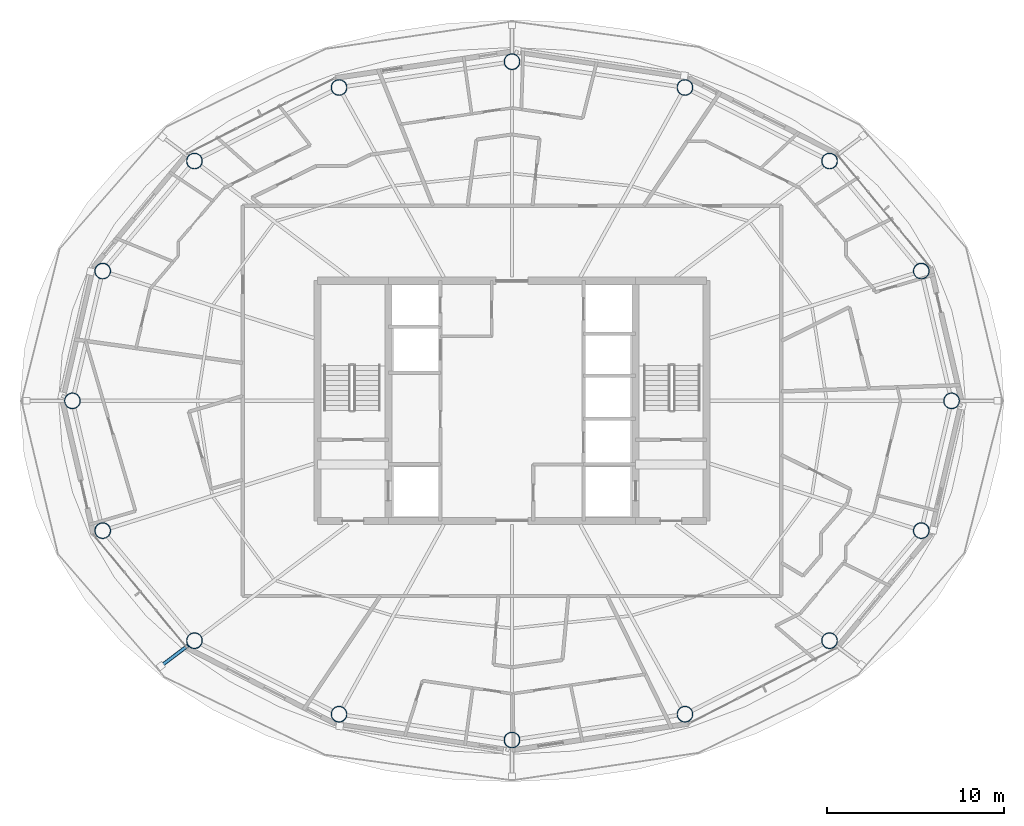
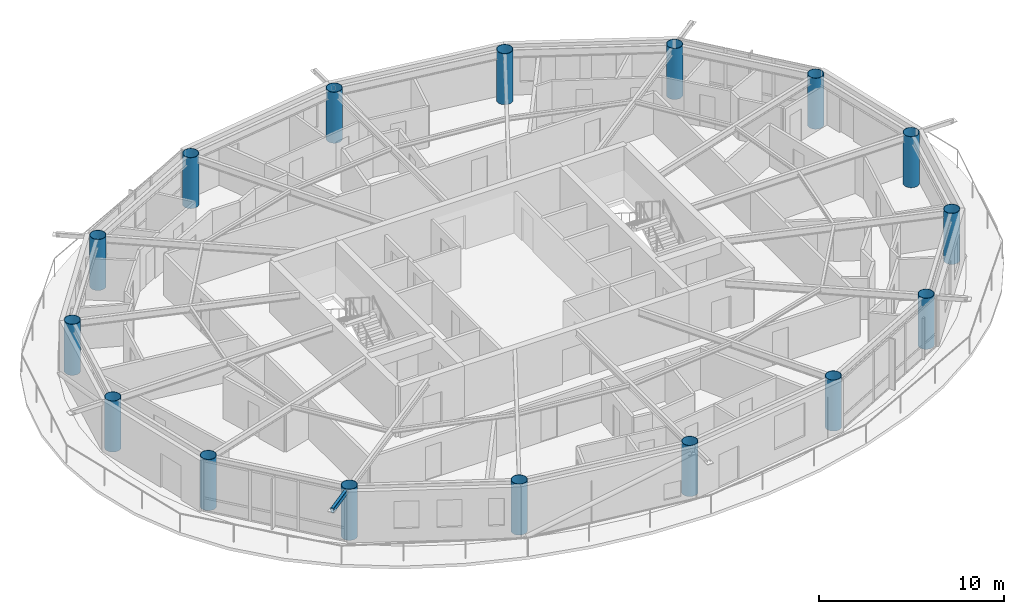
# One storey, part 1 of 23: 16 columns, 1 member.
"""IFC4 building model written with IfcOpenShell, lengths in metres."""

from ifc_helpers import new_model, si_unit, direction, frame, origin, origin_2d, place, context, subcontext, project, spatial, hollow_rectangle, hollow_circle, extrude, material, material_profile, profile_set, type_object, element, save


model = new_model("IFC4")

# Units and contexts
model_context = context("Model", 3, precision=1e-05, world=origin(), true_north=direction((0.0, 1.0)))
body_context = subcontext(model_context, "Body", "Model", "MODEL_VIEW")
ifc_project = project(units=[si_unit("LENGTHUNIT", "METRE"), si_unit("AREAUNIT", "SQUARE_METRE"), si_unit("VOLUMEUNIT", "CUBIC_METRE"), si_unit("PLANEANGLEUNIT", "RADIAN"), si_unit("MASSUNIT", "GRAM", prefix="KILO")], contexts=[model_context])

# Site, building, storey
site_placement = place(None, origin())
site = spatial("IfcSite", under=ifc_project, at=site_placement, CompositionType="ELEMENT")
building_placement = place(site_placement, origin())
building = spatial("IfcBuilding", under=site, at=building_placement, Name="Sarneth Arch Tower", CompositionType="ELEMENT")
storey_placement = place(building_placement, frame((0.0, 0.0, 228.0)))
storey = spatial("IfcBuildingStorey", under=building, at=storey_placement, Name="L58", CompositionType="ELEMENT", Elevation=228.0)

# Columns
ifc_material_1 = material(Name="Steel S355", Category="steel")
ifc_material_profile_1 = material_profile(ifc_material_1, hollow_circle(Radius=0.449951171875, WallThickness=0.02490234375, at=origin_2d()), Name="CHS900x25")
ifc_profile_set_1 = profile_set([ifc_material_profile_1], Name="Steel S355")
column_type = type_object("IfcColumnType", Name="COL-MEGA-900", PredefinedType="COLUMN", material=ifc_profile_set_1)
for number, where, z_axis, x_axis, name in (
    (1, (72.88330078125, 42.0, 0.0), (0.0, 0.0, 1.0), (1.0, 0.0, 0.0), "L58 Perimeter mega-column M01"),
    (2, (71.1689453125, 49.347412109375, 0.0), (0.0, 0.0, 1.0), (1.0, 0.0, 0.0), "L58 Perimeter mega-column M02"),
    (3, (65.975341796875, 55.576416015625, 0.0), (0.0, 0.0, 1.0), (1.0, 0.0, 0.0), "L58 Perimeter mega-column M03"),
    (4, (57.790771484375, 59.738525390625, 0.0), (0.0, 0.0, 1.0), (1.0, 0.0, 0.0), "L58 Perimeter mega-column M04"),
    (5, (48.0, 61.199951171875, 0.0), (0.0, 0.0, 1.0), (1.0, 0.0, 0.0), "L58 Perimeter mega-column M05"),
    (6, (38.209228515625, 59.738525390625, 0.0), (0.0, 0.0, 1.0), (1.0, 0.0, 0.0), "L58 Perimeter mega-column M06"),
    (7, (30.024658203125, 55.576416015625, 0.0), (0.0, 0.0, 1.0), (1.0, 0.0, 0.0), "L58 Perimeter mega-column M07"),
    (8, (24.8310546875, 49.347412109375, 0.0), (0.0, 0.0, 1.0), (1.0, 0.0, 0.0), "L58 Perimeter mega-column M08"),
    (9, (23.11669921875, 42.0, 0.0), (0.0, 0.0, 1.0), (1.0, 0.0, 0.0), "L58 Perimeter mega-column M09"),
    (10, (24.8310546875, 34.652587890625, 0.0), (0.0, 0.0, 1.0), (1.0, 0.0, 0.0), "L58 Perimeter mega-column M10"),
    (11, (30.024658203125, 28.423583984375, 0.0), (0.0, 0.0, 1.0), (1.0, 0.0, 0.0), "L58 Perimeter mega-column M11"),
    (12, (38.209228515625, 24.261474609375, 0.0), (0.0, 0.0, 1.0), (1.0, 0.0, 0.0), "L58 Perimeter mega-column M12"),
    (13, (48.0, 22.800048828125, 0.0), (0.0, 0.0, 1.0), (1.0, 0.0, 0.0), "L58 Perimeter mega-column M13"),
    (14, (57.790771484375, 24.261474609375, 0.0), (0.0, 0.0, 1.0), (1.0, 0.0, 0.0), "L58 Perimeter mega-column M14"),
    (15, (65.975341796875, 28.423583984375, 0.0), (0.0, 0.0, 1.0), (1.0, 0.0, 0.0), "L58 Perimeter mega-column M15"),
    (16, (71.1689453125, 34.652587890625, 0.0), (0.0, 0.0, 1.0), (1.0, 0.0, 0.0), "L58 Perimeter mega-column M16"),
):
    element("IfcColumn", number, at=place(storey_placement, frame(where, z_axis=z_axis, x_axis=x_axis)), inside=storey, type_object=column_type, Name=name, PredefinedType="COLUMN", context=body_context, shape_type="SweptSolid", body=[
        extrude(hollow_circle(Radius=0.449951171875, WallThickness=0.02490234375, at=origin_2d()), origin(), (0.0, 0.0, 1.0), 3.360107421875),
    ])

# Member
ifc_material_2 = material(Name="Steel S355", Category="steel")
ifc_material_profile_2 = material_profile(ifc_material_2, hollow_rectangle(XDim=0.199951171875, YDim=0.300048828125, WallThickness=0.012451171875, InnerFilletRadius=0.018798828125, OuterFilletRadius=0.03125, at=origin_2d()), Name="RHS300x200x12.5")
ifc_profile_set_2 = profile_set([ifc_material_profile_2], Name="Steel S355")
member_type = type_object("IfcMemberType", Name="MEM-CANT-STRUT", PredefinedType="STRUT", material=ifc_profile_set_2)
member_placement = place(storey_placement, frame((29.665771484375, 28.15234375, 3.199951171875), z_axis=(-0.79799424689, -0.602665066128, 0.0), x_axis=(0.602665066128, -0.79799424689, 0.0)))
element("IfcMember", 17, at=member_placement, inside=storey, type_object=member_type, Name="L58 Balcony cantilever bracket 11", PredefinedType="STRUT", context=body_context, shape_type="SweptSolid", body=[
    extrude(hollow_rectangle(XDim=0.199951171875, YDim=0.300048828125, WallThickness=0.012451171875, InnerFilletRadius=0.018798828125, OuterFilletRadius=0.03125, at=origin_2d()), origin(), (0.0, 0.0, 1.0), 1.932373046875),
])

save(model, "model.ifc")
